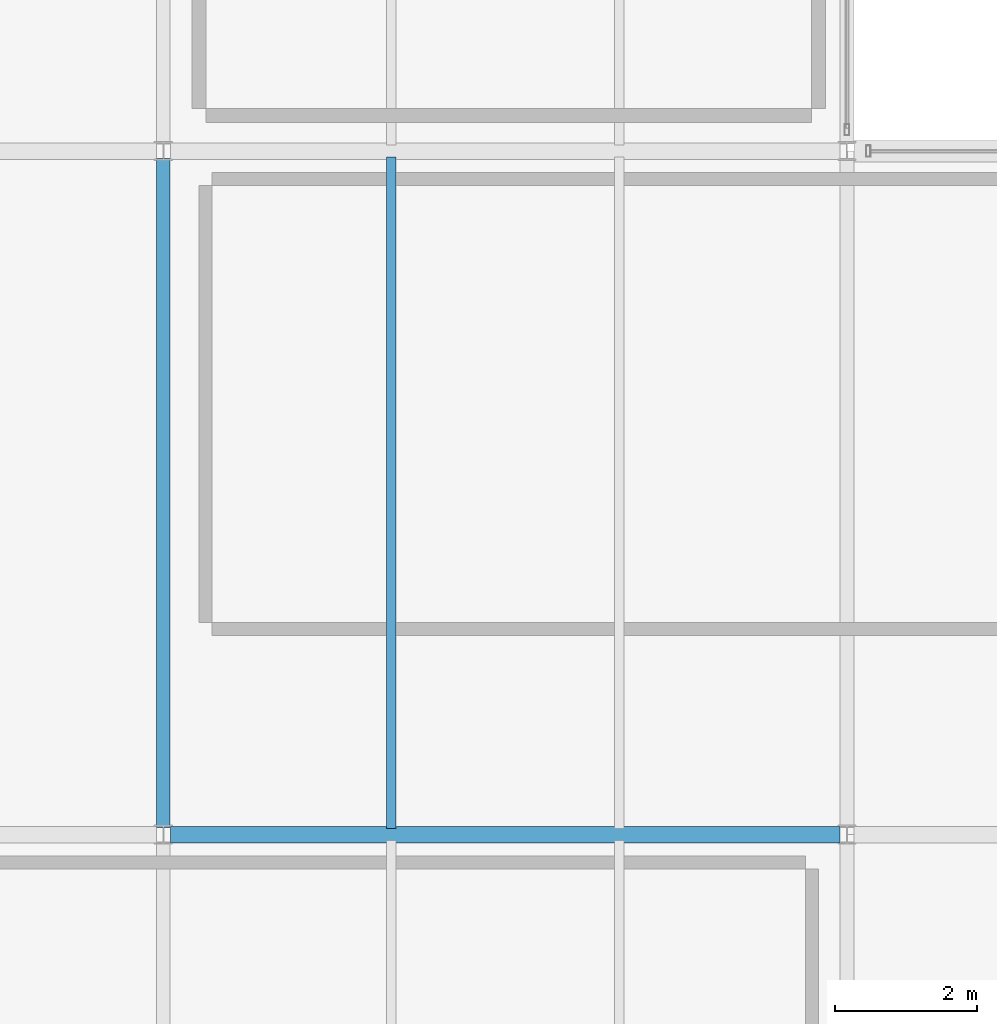
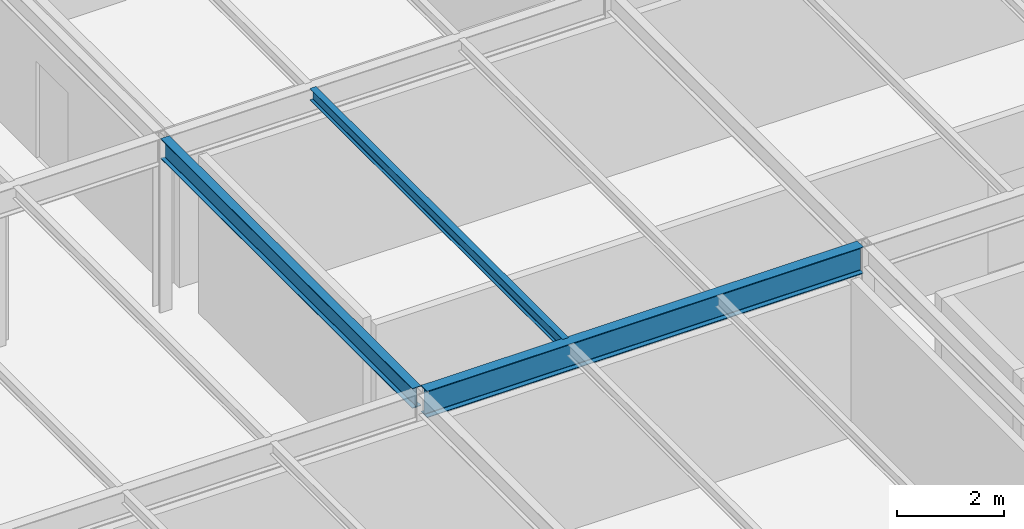
# One storey, part 8 of 39: 3 beams.
"""IFC4 building model written with IfcOpenShell, lengths in metres."""

from ifc_helpers import new_model, si_unit, direction, frame, origin, origin_2d, place, context, subcontext, project, spatial, i_section, extrude, material, material_profile, profile_set, type_object, element, save


model = new_model("IFC4")

# Units and contexts
model_context = context("Model", 3, precision=1e-05, world=origin(), true_north=direction((0.0, 1.0)))
body_context = subcontext(model_context, "Body", "Model", "MODEL_VIEW")
ifc_project = project(units=[si_unit("LENGTHUNIT", "METRE"), si_unit("AREAUNIT", "SQUARE_METRE"), si_unit("VOLUMEUNIT", "CUBIC_METRE"), si_unit("PLANEANGLEUNIT", "RADIAN"), si_unit("MASSUNIT", "GRAM", prefix="KILO")], contexts=[model_context])

# Site, building, storey
site_placement = place(None, origin())
site = spatial("IfcSite", under=ifc_project, at=site_placement, CompositionType="ELEMENT")
building_placement = place(site_placement, origin())
building = spatial("IfcBuilding", under=site, at=building_placement, Name="Coralgate Yard Interchange", CompositionType="ELEMENT")
storey_placement = place(building_placement, frame((0.0, 0.0, 18.89990234375)))
storey = spatial("IfcBuildingStorey", under=building, at=storey_placement, Name="L04", CompositionType="ELEMENT", Elevation=18.89990234375)

# Beams
ifc_material = material(Name="Structural steel S355J2", Category="steel")
ifc_material_profile_1 = material_profile(ifc_material, i_section(OverallWidth=0.1904296875, OverallDepth=0.45703125, WebThickness=0.009033203125, FlangeThickness=0.014404296875, FilletRadius=0.01025390625, at=origin_2d()), Name="UB 457x191x74")
ifc_profile_set_1 = profile_set([ifc_material_profile_1], Name="Structural steel S355J2")
beam_type_1 = type_object("IfcBeamType", Name="BM-SB-2", PredefinedType="BEAM", material=ifc_profile_set_1)
beam_1_placement = place(storey_placement, frame((9.60009765625, 9.703369140625, 3.7216796875), z_axis=(0.0, 1.0, 0.0), x_axis=(-1.0, 0.0, 0.0)))
element("IfcBeam", 1, at=beam_1_placement, inside=storey, type_object=beam_type_1, Name="L04 primary grid girder X1 Y1-2", PredefinedType="BEAM", context=body_context, shape_type="SweptSolid", body=[
    extrude(i_section(OverallWidth=0.1904296875, OverallDepth=0.45703125, WebThickness=0.009033203125, FlangeThickness=0.014404296875, FilletRadius=0.01025390625, at=origin_2d()), origin(), (0.0, 0.0, 1.0), 9.393310546875),
])
ifc_material_profile_2 = material_profile(ifc_material, i_section(OverallWidth=0.228271484375, OverallDepth=0.607666015625, WebThickness=0.010986328125, FlangeThickness=0.017333984375, FilletRadius=0.0126953125, at=origin_2d()), Name="UB 610x229x113")
ifc_profile_set_2 = profile_set([ifc_material_profile_2], Name="Structural steel S355J2")
beam_type_2 = type_object("IfcBeamType", Name="BM-SG-5", PredefinedType="BEAM", material=ifc_profile_set_2)
beam_2_placement = place(storey_placement, frame((9.699462890625, 9.60009765625, 3.646240234375), z_axis=(1.0, 0.0, 0.0), x_axis=(0.0, 1.0, 0.0)))
element("IfcBeam", 2, at=beam_2_placement, inside=storey, type_object=beam_type_2, Name="L04 primary grid beam Y1 X1-2", PredefinedType="BEAM", context=body_context, shape_type="SweptSolid", body=[
    extrude(i_section(OverallWidth=0.228271484375, OverallDepth=0.607666015625, WebThickness=0.010986328125, FlangeThickness=0.017333984375, FilletRadius=0.0126953125, at=origin_2d()), origin(), (0.0, 0.0, 1.0), 9.401123046875),
])
ifc_material_profile_3 = material_profile(ifc_material, i_section(OverallWidth=0.135009765625, OverallDepth=0.27001953125, WebThickness=0.006591796875, FlangeThickness=0.01025390625, FilletRadius=0.014892578125, at=origin_2d()), Name="IPE 270")
ifc_profile_set_3 = profile_set([ifc_material_profile_3], Name="Structural steel S355J2")
beam_type_3 = type_object("IfcBeamType", Name="BM-SJ-3", PredefinedType="JOIST", material=ifc_profile_set_3)
beam_3_placement = place(storey_placement, frame((12.800048828125, 9.68408203125, 3.815185546875), z_axis=(0.0, 1.0, 0.0), x_axis=(-1.0, 0.0, 0.0)))
element("IfcBeam", 3, at=beam_3_placement, inside=storey, type_object=beam_type_3, Name="L04 composite floor joist 1-1-1", PredefinedType="JOIST", context=body_context, shape_type="SweptSolid", body=[
    extrude(i_section(OverallWidth=0.135009765625, OverallDepth=0.27001953125, WebThickness=0.006591796875, FlangeThickness=0.01025390625, FilletRadius=0.014892578125, at=origin_2d()), origin(), (0.0, 0.0, 1.0), 9.431884765625),
])

save(model, "model.ifc")
